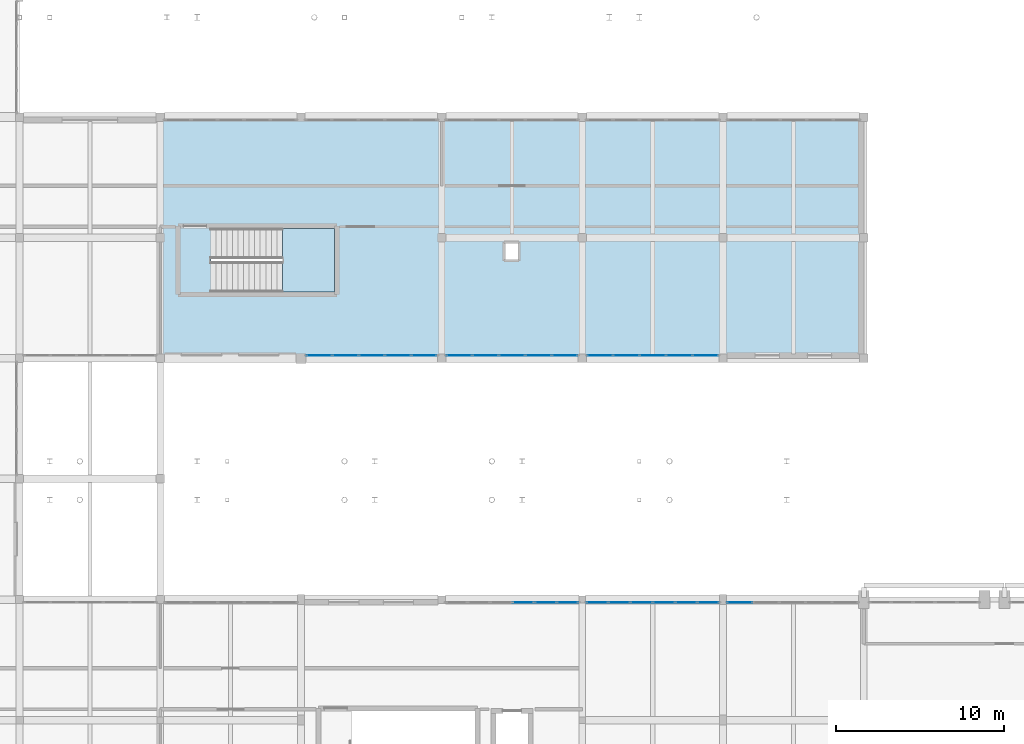
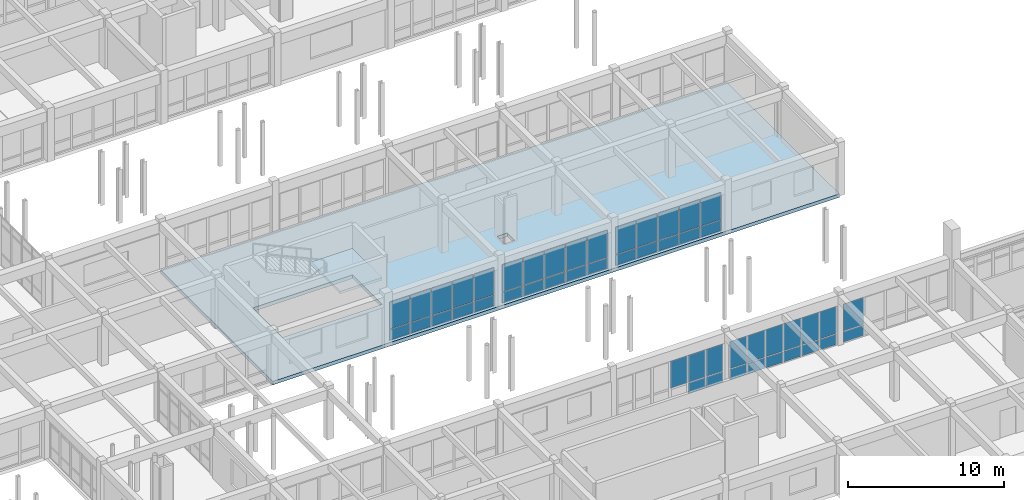
# One storey, part 105 of 147: 49 plates, 2 slabs, 7 elements without a shape of their own.
"""IFC4 building model written with IfcOpenShell, lengths in metres."""

import ifcopenshell
import ifcopenshell.guid

model = None  # the IFC model being written
_history = None  # IfcOwnerHistory: only IFC2X3 demands one
_inside = {}  # id of a spatial element -> (the spatial element, [elements in it])
_under = {}  # id of a project, library or spatial element -> (it, [spatial elements below it])
_declared = {}  # id of a project -> (the project, [libraries it declares])
_typed = {}  # id of a type object -> (the type object, [elements of that type])
_made_of = {}  # id of a material, layer set ... -> (it, [elements and type objects made of it])


def new_model(schema):
    """Start an empty IFC model of exactly this schema.

    Asked for "IFC4X3", IfcOpenShell would pick the latest addendum, in which some entities
    have other attributes; the version numbers below select the first issue.
    IFC2X3 requires an IfcOwnerHistory on every rooted entity: one is made here for all.
    """
    global model, _history
    if schema == "IFC4X3":
        model = ifcopenshell.file(schema_version=(4, 3, 0, 0))
    else:
        model = ifcopenshell.file(schema=schema)
    _inside.clear()
    _under.clear()
    _declared.clear()
    _typed.clear()
    _made_of.clear()
    _history = None
    if model.schema == "IFC2X3":
        org = make("IfcOrganization", Name="unknown")
        user = make(
            "IfcPersonAndOrganization",
            ThePerson=make("IfcPerson", FamilyName="unknown"),
            TheOrganization=org,
        )
        app = make(
            "IfcApplication",
            ApplicationDeveloper=org,
            Version="unknown",
            ApplicationFullName="unknown",
            ApplicationIdentifier="unknown",
        )
        _history = make(
            "IfcOwnerHistory",
            OwningUser=user,
            OwningApplication=app,
            ChangeAction="ADDED",
            CreationDate=0,
        )
    return model


def make(cls, **values):
    """One entity of the class cls with the attributes given. An attribute that is None is left unset."""
    return model.create_entity(
        cls, **{name: value for name, value in values.items() if value is not None}
    )


def rooted(cls, **values):
    """An entity with a GlobalId (a new one), such as an element, a storey or a relation."""
    return make(cls, GlobalId=ifcopenshell.guid.new(), OwnerHistory=_history, **values)


def si_unit(unit_type, name, prefix=None):
    """IfcSIUnit, for example si_unit("LENGTHUNIT", "METRE", prefix="MILLI")."""
    return make("IfcSIUnit", UnitType=unit_type, Prefix=prefix, Name=name)


def assignment(units):
    """IfcUnitAssignment: the units of a project."""
    return None if units is None else make("IfcUnitAssignment", Units=units)


def point(xyz):
    """IfcCartesianPoint."""
    return None if xyz is None else make("IfcCartesianPoint", Coordinates=xyz)


def direction(xyz):
    """IfcDirection."""
    return None if xyz is None else make("IfcDirection", DirectionRatios=xyz)


def frame(location, z_axis=None, x_axis=None):
    """IfcAxis2Placement3D, a coordinate frame: its origin and axes. An axis left out is left unset."""
    return make(
        "IfcAxis2Placement3D",
        Location=point(location),
        Axis=direction(z_axis),
        RefDirection=direction(x_axis),
    )


def frame_2d(location, x_axis=None):
    """IfcAxis2Placement2D, a coordinate frame in the plane: its origin and x axis."""
    return make(
        "IfcAxis2Placement2D", Location=point(location), RefDirection=direction(x_axis)
    )


def origin():
    """The frame at (0, 0, 0) with its axes left unset."""
    return frame((0.0, 0.0, 0.0))


def origin_2d():
    """The frame at (0, 0) in the plane with its x axis left unset."""
    return frame_2d((0.0, 0.0))


def place(relative_to, where):
    """IfcLocalPlacement: puts the frame where relative to a parent placement (None: the world)."""
    return make(
        "IfcLocalPlacement", PlacementRelTo=relative_to, RelativePlacement=where
    )


def context(
    kind, dimensions, precision=None, world=None, true_north=None, identifier=None
):
    """IfcGeometricRepresentationContext, for example the 3D "Model" context."""
    return make(
        "IfcGeometricRepresentationContext",
        ContextIdentifier=identifier,
        ContextType=kind,
        CoordinateSpaceDimension=dimensions,
        Precision=precision,
        WorldCoordinateSystem=world,
        TrueNorth=true_north,
    )


def subcontext(parent, identifier, kind, view, scale=None):
    """IfcGeometricRepresentationSubContext, for example "Body" below "Model"."""
    return make(
        "IfcGeometricRepresentationSubContext",
        ContextIdentifier=identifier,
        ContextType=kind,
        ParentContext=parent,
        TargetScale=scale,
        TargetView=view,
    )


def project(units=None, contexts=None):
    """IfcProject with its units and contexts."""
    return rooted(
        "IfcProject",
        Name="project",
        RepresentationContexts=contexts,
        UnitsInContext=assignment(units),
    )


def spatial(cls, under=None, at=None, **own):
    """A site, building, storey or space (cls), placed at a placement, below another one or the project."""
    s = rooted(cls, ObjectPlacement=at, **own)
    if under is not None:
        _under.setdefault(under.id(), (under, []))[1].append(s)
    return s


def polyline(points):
    """IfcPolyline through the points."""
    return make("IfcPolyline", Points=[point(p) for p in points])


def profile(cls, at=None, kind="AREA", **sizes):
    """A parametric profile (cls). Its sizes go by their IFC names, for example OverallWidth=200.0."""
    return make(cls, ProfileType=kind, Position=at, **sizes)


def rectangle(**sizes):
    """IfcRectangleProfileDef."""
    return profile("IfcRectangleProfileDef", **sizes)


def outline(outer, holes=None, kind="AREA"):
    """IfcArbitraryClosedProfileDef: a profile drawn as a closed curve; with holes, ...WithVoids."""
    if holes is None:
        return make("IfcArbitraryClosedProfileDef", ProfileType=kind, OuterCurve=outer)
    return make(
        "IfcArbitraryProfileDefWithVoids",
        ProfileType=kind,
        OuterCurve=outer,
        InnerCurves=holes,
    )


def extrude(swept, where, along, depth):
    """IfcExtrudedAreaSolid: the profile swept, set in the frame where, extruded along a direction by depth."""
    return make(
        "IfcExtrudedAreaSolid",
        SweptArea=swept,
        Position=where,
        ExtrudedDirection=direction(along),
        Depth=depth,
    )


def shape(context_of_items, identifier, shape_type, items):
    """IfcShapeRepresentation: the items that make up one representation, for example the "Body"."""
    return make(
        "IfcShapeRepresentation",
        ContextOfItems=context_of_items,
        RepresentationIdentifier=identifier,
        RepresentationType=shape_type,
        Items=items,
    )


def material(Name=None, Category=None):
    """IfcMaterial."""
    return make("IfcMaterial", Name=Name, Category=Category)


def layer(
    of_material, thickness, ventilated=None, Name=None, Category=None, Priority=None
):
    """IfcMaterialLayer: one layer of a wall or slab, of a material (None: an air gap)."""
    return make(
        "IfcMaterialLayer",
        Material=of_material,
        LayerThickness=thickness,
        IsVentilated=ventilated,
        Name=Name,
        Category=Category,
        Priority=Priority,
    )


def layer_set(layers, Name=None):
    """IfcMaterialLayerSet."""
    return make("IfcMaterialLayerSet", MaterialLayers=layers, LayerSetName=Name)


def made_of(thing, what):
    """Note that an element or type object is made of a material, layer set ...; save() writes the relation."""
    if what is not None:
        _made_of.setdefault(what.id(), (what, []))[1].append(thing)
    return thing


def type_object(cls, material=None, **own):
    """A type object (cls), such as IfcWallType, which elements share."""
    return made_of(rooted(cls, **own), material)


def element(
    cls,
    number,
    at=None,
    inside=None,
    cuts=None,
    type_object=None,
    material=None,
    context=None,
    identifier="Body",
    shape_type=None,
    held_by="IfcProductDefinitionShape",
    body=None,
    shapes=None,
    **own,
):
    """One element of the class cls, such as IfcWall. Its Tag is "e" and its number.

    at: its placement. inside: the storey or other place that contains it. cuts: it is an
    opening in that element (IfcRelVoidsElement). A single representation is given by context,
    identifier, shape_type and body (its items); several are given by shapes. held_by: the class
    of the entity that holds the representations. save() writes the other relations.
    """
    e = rooted(cls, Tag="e%d" % number, ObjectPlacement=at, **own)
    if body is not None:
        shapes = [shape(context, identifier, shape_type, body)]
    if shapes is not None:
        e.Representation = make(held_by, Representations=shapes)
    if inside is not None:
        _inside.setdefault(inside.id(), (inside, []))[1].append(e)
    if cuts is not None:
        rooted(
            "IfcRelVoidsElement", RelatingBuildingElement=cuts, RelatedOpeningElement=e
        )
    if type_object is not None:
        _typed.setdefault(type_object.id(), (type_object, []))[1].append(e)
    return made_of(e, material)


def aggregate(whole, parts):
    """IfcRelAggregates: a whole, such as a stair, and the parts it consists of."""
    return rooted("IfcRelAggregates", RelatingObject=whole, RelatedObjects=parts)


def save(model, path):
    """Write the relations noted so far, then the file.

    IfcRelAggregates (storeys below a building ...), IfcRelContainedInSpatialStructure (elements
    in a storey), IfcRelDefinesByType, IfcRelAssociatesMaterial and IfcRelDeclares: one each for
    every whole, place, type object, material and project.
    """
    for whole, parts in _under.values():
        aggregate(whole, parts)
    for where, things in _inside.values():
        rooted(
            "IfcRelContainedInSpatialStructure",
            RelatedElements=things,
            RelatingStructure=where,
        )
    for kind, things in _typed.values():
        rooted("IfcRelDefinesByType", RelatedObjects=things, RelatingType=kind)
    for what, things in _made_of.values():
        rooted("IfcRelAssociatesMaterial", RelatedObjects=things, RelatingMaterial=what)
    for by, libraries in _declared.values():
        rooted("IfcRelDeclares", RelatingContext=by, RelatedDefinitions=libraries)
    model.write(path)


model = new_model("IFC4")

# Units and contexts
model_context = context("Model", 3, precision=1e-05, world=origin(), true_north=direction((0.0, 1.0)))
body_context = subcontext(model_context, "Body", "Model", "MODEL_VIEW")
ifc_project = project(units=[si_unit("LENGTHUNIT", "METRE"), si_unit("AREAUNIT", "SQUARE_METRE"), si_unit("VOLUMEUNIT", "CUBIC_METRE"), si_unit("PLANEANGLEUNIT", "RADIAN"), si_unit("MASSUNIT", "GRAM", prefix="KILO")], contexts=[model_context])

# Site, building, storey
site_placement = place(None, origin())
site = spatial("IfcSite", under=ifc_project, at=site_placement, CompositionType="ELEMENT")
building_placement = place(site_placement, origin())
building = spatial("IfcBuilding", under=site, at=building_placement, Name="Malvenik Polytechnic", CompositionType="ELEMENT")
storey_placement = place(building_placement, frame((0.0, 0.0, 5.10009765625)))
storey = spatial("IfcBuildingStorey", under=building, at=storey_placement, Name="L01", CompositionType="ELEMENT", Elevation=5.10009765625)

# Curtain wall, plates
ifc_material_1 = material(Name="Anodised aluminium 6060-T6", Category="aluminium")
curtain_wall_type = type_object("IfcCurtainWallType", Name="ARC-CW-CW-02", PredefinedType="NOTDEFINED", material=ifc_material_1)
curtain_wall_1_placement = place(storey_placement, origin())
curtain_wall_1 = element("IfcCurtainWall", 1, at=curtain_wall_1_placement, inside=storey, type_object=curtain_wall_type, Name="Unitised Curtain Wall CW-02 L01 #89", PredefinedType="NOTDEFINED")
ifc_material_2 = material(Name="Insulated low-E double glazing 8-16-8", Category="glass")
ifc_layer_1 = layer(ifc_material_2, 0.028076171875)
ifc_layer_set_1 = layer_set([ifc_layer_1], Name="Insulated low-E double glazing 8-16-8")
plate_type_1 = type_object("IfcPlateType", Name="ARC-CWP-CP-GLZ28", PredefinedType="CURTAIN_PANEL", material=ifc_layer_set_1)
plate_1_placement = place(storey_placement, frame((124.946533203125, 50.570068359375, 0.929931640625), z_axis=(0.0, 0.0, 1.0), x_axis=(-1.0, 0.0, 0.0)))
plate_1 = element("IfcPlate", 2, at=plate_1_placement, type_object=plate_type_1, Name="CW-02 panel 1.2", PredefinedType="CURTAIN_PANEL", context=body_context, shape_type="SweptSolid", body=[
    extrude(rectangle(XDim=1.49072265625, YDim=0.028076171875, at=origin_2d()), origin(), (0.0, 0.0, 1.0), 2.1201171875),
])
plate_2_placement = place(storey_placement, frame((123.380859375, 50.570068359375, 0.929931640625), z_axis=(0.0, 0.0, 1.0), x_axis=(-1.0, 0.0, 0.0)))
plate_2 = element("IfcPlate", 3, at=plate_2_placement, type_object=plate_type_1, Name="CW-02 panel 2.2", PredefinedType="CURTAIN_PANEL", context=body_context, shape_type="SweptSolid", body=[
    extrude(rectangle(XDim=1.520751953125, YDim=0.028076171875, at=origin_2d()), origin(), (0.0, 0.0, 1.0), 2.1201171875),
])
plate_3_placement = place(storey_placement, frame((121.800048828125, 50.570068359375, 0.929931640625), z_axis=(0.0, 0.0, 1.0), x_axis=(-1.0, 0.0, 0.0)))
plate_3 = element("IfcPlate", 4, at=plate_3_placement, type_object=plate_type_1, Name="CW-02 panel 3.2", PredefinedType="CURTAIN_PANEL", context=body_context, shape_type="SweptSolid", body=[
    extrude(rectangle(XDim=1.520751953125, YDim=0.028076171875, at=origin_2d()), origin(), (0.0, 0.0, 1.0), 2.1201171875),
])
plate_4_placement = place(storey_placement, frame((120.21923828125, 50.570068359375, 0.929931640625), z_axis=(0.0, 0.0, 1.0), x_axis=(-1.0, 0.0, 0.0)))
plate_4 = element("IfcPlate", 5, at=plate_4_placement, type_object=plate_type_1, Name="CW-02 panel 4.2", PredefinedType="CURTAIN_PANEL", context=body_context, shape_type="SweptSolid", body=[
    extrude(rectangle(XDim=1.520751953125, YDim=0.028076171875, at=origin_2d()), origin(), (0.0, 0.0, 1.0), 2.1201171875),
])
plate_5_placement = place(storey_placement, frame((118.6533203125, 50.570068359375, 0.929931640625), z_axis=(0.0, 0.0, 1.0), x_axis=(-1.0, 0.0, 0.0)))
plate_5 = element("IfcPlate", 6, at=plate_5_placement, type_object=plate_type_1, Name="CW-02 panel 5.2", PredefinedType="CURTAIN_PANEL", context=body_context, shape_type="SweptSolid", body=[
    extrude(rectangle(XDim=1.49072265625, YDim=0.028076171875, at=origin_2d()), origin(), (0.0, 0.0, 1.0), 2.1201171875),
])

curtain_wall_2_placement = place(storey_placement, origin())
curtain_wall_2 = element("IfcCurtainWall", 7, at=curtain_wall_2_placement, inside=storey, type_object=curtain_wall_type, Name="Unitised Curtain Wall CW-02 L01 #90", PredefinedType="NOTDEFINED")
plate_6_placement = place(storey_placement, frame((116.546630859375, 50.570068359375, 0.929931640625), z_axis=(0.0, 0.0, 1.0), x_axis=(-1.0, 0.0, 0.0)))
plate_6 = element("IfcPlate", 8, at=plate_6_placement, type_object=plate_type_1, Name="CW-02 panel 1.2", PredefinedType="CURTAIN_PANEL", context=body_context, shape_type="SweptSolid", body=[
    extrude(rectangle(XDim=1.49072265625, YDim=0.028076171875, at=origin_2d()), origin(), (0.0, 0.0, 1.0), 2.1201171875),
])
plate_7_placement = place(storey_placement, frame((114.980712890625, 50.570068359375, 0.929931640625), z_axis=(0.0, 0.0, 1.0), x_axis=(-1.0, 0.0, 0.0)))
plate_7 = element("IfcPlate", 9, at=plate_7_placement, type_object=plate_type_1, Name="CW-02 panel 2.2", PredefinedType="CURTAIN_PANEL", context=body_context, shape_type="SweptSolid", body=[
    extrude(rectangle(XDim=1.520751953125, YDim=0.028076171875, at=origin_2d()), origin(), (0.0, 0.0, 1.0), 2.1201171875),
])
plate_8_placement = place(storey_placement, frame((113.39990234375, 50.570068359375, 0.929931640625), z_axis=(0.0, 0.0, 1.0), x_axis=(-1.0, 0.0, 0.0)))
plate_8 = element("IfcPlate", 10, at=plate_8_placement, type_object=plate_type_1, Name="CW-02 panel 3.2", PredefinedType="CURTAIN_PANEL", context=body_context, shape_type="SweptSolid", body=[
    extrude(rectangle(XDim=1.520751953125, YDim=0.028076171875, at=origin_2d()), origin(), (0.0, 0.0, 1.0), 2.1201171875),
])
plate_9_placement = place(storey_placement, frame((111.819091796875, 50.570068359375, 0.929931640625), z_axis=(0.0, 0.0, 1.0), x_axis=(-1.0, 0.0, 0.0)))
plate_9 = element("IfcPlate", 11, at=plate_9_placement, type_object=plate_type_1, Name="CW-02 panel 4.2", PredefinedType="CURTAIN_PANEL", context=body_context, shape_type="SweptSolid", body=[
    extrude(rectangle(XDim=1.520751953125, YDim=0.028076171875, at=origin_2d()), origin(), (0.0, 0.0, 1.0), 2.1201171875),
])
plate_10_placement = place(storey_placement, frame((110.25341796875, 50.570068359375, 0.929931640625), z_axis=(0.0, 0.0, 1.0), x_axis=(-1.0, 0.0, 0.0)))
plate_10 = element("IfcPlate", 12, at=plate_10_placement, type_object=plate_type_1, Name="CW-02 panel 5.2", PredefinedType="CURTAIN_PANEL", context=body_context, shape_type="SweptSolid", body=[
    extrude(rectangle(XDim=1.49072265625, YDim=0.028076171875, at=origin_2d()), origin(), (0.0, 0.0, 1.0), 2.1201171875),
])

curtain_wall_3_placement = place(storey_placement, origin())
curtain_wall_3 = element("IfcCurtainWall", 13, at=curtain_wall_3_placement, inside=storey, type_object=curtain_wall_type, Name="Unitised Curtain Wall CW-02 L01 #91", PredefinedType="NOTDEFINED")
plate_11_placement = place(storey_placement, frame((108.151611328125, 50.570068359375, 0.929931640625), z_axis=(0.0, 0.0, 1.0), x_axis=(-1.0, 0.0, 0.0)))
plate_11 = element("IfcPlate", 14, at=plate_11_placement, type_object=plate_type_1, Name="CW-02 panel 1.2", PredefinedType="CURTAIN_PANEL", context=body_context, shape_type="SweptSolid", body=[
    extrude(rectangle(XDim=1.480712890625, YDim=0.028076171875, at=origin_2d()), origin(), (0.0, 0.0, 1.0), 2.1201171875),
])
plate_12_placement = place(storey_placement, frame((106.595703125, 50.570068359375, 0.929931640625), z_axis=(0.0, 0.0, 1.0), x_axis=(-1.0, 0.0, 0.0)))
plate_12 = element("IfcPlate", 15, at=plate_12_placement, type_object=plate_type_1, Name="CW-02 panel 2.2", PredefinedType="CURTAIN_PANEL", context=body_context, shape_type="SweptSolid", body=[
    extrude(rectangle(XDim=1.5107421875, YDim=0.028076171875, at=origin_2d()), origin(), (0.0, 0.0, 1.0), 2.1201171875),
])
plate_13_placement = place(storey_placement, frame((105.02490234375, 50.570068359375, 0.929931640625), z_axis=(0.0, 0.0, 1.0), x_axis=(-1.0, 0.0, 0.0)))
plate_13 = element("IfcPlate", 16, at=plate_13_placement, type_object=plate_type_1, Name="CW-02 panel 3.2", PredefinedType="CURTAIN_PANEL", context=body_context, shape_type="SweptSolid", body=[
    extrude(rectangle(XDim=1.5107421875, YDim=0.028076171875, at=origin_2d()), origin(), (0.0, 0.0, 1.0), 2.1201171875),
])
plate_14_placement = place(storey_placement, frame((103.4541015625, 50.570068359375, 0.929931640625), z_axis=(0.0, 0.0, 1.0), x_axis=(-1.0, 0.0, 0.0)))
plate_14 = element("IfcPlate", 17, at=plate_14_placement, type_object=plate_type_1, Name="CW-02 panel 4.2", PredefinedType="CURTAIN_PANEL", context=body_context, shape_type="SweptSolid", body=[
    extrude(rectangle(XDim=1.5107421875, YDim=0.028076171875, at=origin_2d()), origin(), (0.0, 0.0, 1.0), 2.1201171875),
])
plate_15_placement = place(storey_placement, frame((101.8984375, 50.570068359375, 0.929931640625), z_axis=(0.0, 0.0, 1.0), x_axis=(-1.0, 0.0, 0.0)))
plate_15 = element("IfcPlate", 18, at=plate_15_placement, type_object=plate_type_1, Name="CW-02 panel 5.2", PredefinedType="CURTAIN_PANEL", context=body_context, shape_type="SweptSolid", body=[
    extrude(rectangle(XDim=1.480712890625, YDim=0.028076171875, at=origin_2d()), origin(), (0.0, 0.0, 1.0), 2.1201171875),
])

curtain_wall_4_placement = place(storey_placement, origin())
curtain_wall_4 = element("IfcCurtainWall", 19, at=curtain_wall_4_placement, inside=storey, type_object=curtain_wall_type, Name="Unitised Curtain Wall CW-02 L01 #96", PredefinedType="NOTDEFINED")
plate_16_placement = place(storey_placement, frame((114.077392578125, 35.830078125, 0.929931640625), z_axis=(0.0, 0.0, 1.0), x_axis=(1.0, 0.0, 0.0)))
plate_16 = element("IfcPlate", 20, at=plate_16_placement, type_object=plate_type_1, Name="CW-02 panel 4.2", PredefinedType="CURTAIN_PANEL", context=body_context, shape_type="SweptSolid", body=[
    extrude(rectangle(XDim=1.269775390625, YDim=0.028076171875, at=origin_2d()), origin(), (0.0, 0.0, 1.0), 2.1201171875),
])
plate_17_placement = place(storey_placement, frame((115.4072265625, 35.830078125, 0.929931640625), z_axis=(0.0, 0.0, 1.0), x_axis=(1.0, 0.0, 0.0)))
plate_17 = element("IfcPlate", 21, at=plate_17_placement, type_object=plate_type_1, Name="CW-02 panel 5.2", PredefinedType="CURTAIN_PANEL", context=body_context, shape_type="SweptSolid", body=[
    extrude(rectangle(XDim=1.269775390625, YDim=0.028076171875, at=origin_2d()), origin(), (0.0, 0.0, 1.0), 2.1201171875),
])
plate_18_placement = place(storey_placement, frame((116.72216796875, 35.830078125, 0.929931640625), z_axis=(0.0, 0.0, 1.0), x_axis=(1.0, 0.0, 0.0)))
plate_18 = element("IfcPlate", 22, at=plate_18_placement, type_object=plate_type_1, Name="CW-02 panel 6.2", PredefinedType="CURTAIN_PANEL", context=body_context, shape_type="SweptSolid", body=[
    extrude(rectangle(XDim=1.23974609375, YDim=0.028076171875, at=origin_2d()), origin(), (0.0, 0.0, 1.0), 2.1201171875),
])

curtain_wall_5_placement = place(storey_placement, origin())
curtain_wall_5 = element("IfcCurtainWall", 23, at=curtain_wall_5_placement, inside=storey, type_object=curtain_wall_type, Name="Unitised Curtain Wall CW-02 L01 #97", PredefinedType="NOTDEFINED")
plate_19_placement = place(storey_placement, frame((118.47998046875, 35.830078125, 0.929931640625), z_axis=(0.0, 0.0, 1.0), x_axis=(1.0, 0.0, 0.0)))
plate_19 = element("IfcPlate", 24, at=plate_19_placement, type_object=plate_type_1, Name="CW-02 panel 1.2", PredefinedType="CURTAIN_PANEL", context=body_context, shape_type="SweptSolid", body=[
    extrude(rectangle(XDim=1.243896484375, YDim=0.028076171875, at=origin_2d()), origin(), (0.0, 0.0, 1.0), 2.1201171875),
])
plate_20_placement = place(storey_placement, frame((119.799072265625, 35.830078125, 0.929931640625), z_axis=(0.0, 0.0, 1.0), x_axis=(1.0, 0.0, 0.0)))
plate_20 = element("IfcPlate", 25, at=plate_20_placement, type_object=plate_type_1, Name="CW-02 panel 2.2", PredefinedType="CURTAIN_PANEL", context=body_context, shape_type="SweptSolid", body=[
    extrude(rectangle(XDim=1.27392578125, YDim=0.028076171875, at=origin_2d()), origin(), (0.0, 0.0, 1.0), 2.1201171875),
])
plate_21_placement = place(storey_placement, frame((121.133056640625, 35.830078125, 0.929931640625), z_axis=(0.0, 0.0, 1.0), x_axis=(1.0, 0.0, 0.0)))
plate_21 = element("IfcPlate", 26, at=plate_21_placement, type_object=plate_type_1, Name="CW-02 panel 3.2", PredefinedType="CURTAIN_PANEL", context=body_context, shape_type="SweptSolid", body=[
    extrude(rectangle(XDim=1.27392578125, YDim=0.028076171875, at=origin_2d()), origin(), (0.0, 0.0, 1.0), 2.1201171875),
])
plate_22_placement = place(storey_placement, frame((122.467041015625, 35.830078125, 0.929931640625), z_axis=(0.0, 0.0, 1.0), x_axis=(1.0, 0.0, 0.0)))
plate_22 = element("IfcPlate", 27, at=plate_22_placement, type_object=plate_type_1, Name="CW-02 panel 4.2", PredefinedType="CURTAIN_PANEL", context=body_context, shape_type="SweptSolid", body=[
    extrude(rectangle(XDim=1.27392578125, YDim=0.028076171875, at=origin_2d()), origin(), (0.0, 0.0, 1.0), 2.1201171875),
])
plate_23_placement = place(storey_placement, frame((123.801025390625, 35.830078125, 0.929931640625), z_axis=(0.0, 0.0, 1.0), x_axis=(1.0, 0.0, 0.0)))
plate_23 = element("IfcPlate", 28, at=plate_23_placement, type_object=plate_type_1, Name="CW-02 panel 5.2", PredefinedType="CURTAIN_PANEL", context=body_context, shape_type="SweptSolid", body=[
    extrude(rectangle(XDim=1.27392578125, YDim=0.028076171875, at=origin_2d()), origin(), (0.0, 0.0, 1.0), 2.1201171875),
])
plate_24_placement = place(storey_placement, frame((125.1201171875, 35.830078125, 0.929931640625), z_axis=(0.0, 0.0, 1.0), x_axis=(1.0, 0.0, 0.0)))
plate_24 = element("IfcPlate", 29, at=plate_24_placement, type_object=plate_type_1, Name="CW-02 panel 6.2", PredefinedType="CURTAIN_PANEL", context=body_context, shape_type="SweptSolid", body=[
    extrude(rectangle(XDim=1.243896484375, YDim=0.028076171875, at=origin_2d()), origin(), (0.0, 0.0, 1.0), 2.1201171875),
])

# Curtain wall, plate
curtain_wall_6_placement = place(storey_placement, origin())
curtain_wall_6 = element("IfcCurtainWall", 30, at=curtain_wall_6_placement, inside=storey, type_object=curtain_wall_type, Name="Unitised Curtain Wall CW-02 L01 #98", PredefinedType="NOTDEFINED")
plate_25_placement = place(storey_placement, frame((127.0009765625, 35.830078125, 0.929931640625), z_axis=(0.0, 0.0, 1.0), x_axis=(1.0, 0.0, 0.0)))
plate_25 = element("IfcPlate", 31, at=plate_25_placement, type_object=plate_type_1, Name="CW-02 panel 1.2", PredefinedType="CURTAIN_PANEL", context=body_context, shape_type="SweptSolid", body=[
    extrude(rectangle(XDim=1.48583984375, YDim=0.028076171875, at=origin_2d()), origin(), (0.0, 0.0, 1.0), 2.1201171875),
])

# Plate
ifc_material_3 = material(Name="Insulated aluminium spandrel cassette 42mm", Category="aluminium")
ifc_layer_2 = layer(ifc_material_3, 0.0419921875)
ifc_layer_set_2 = layer_set([ifc_layer_2], Name="Insulated aluminium spandrel cassette 42mm")
plate_type_2 = type_object("IfcPlateType", Name="ARC-CWP-CP-SPN42", PredefinedType="CURTAIN_PANEL", material=ifc_layer_set_2)
plate_26_placement = place(storey_placement, frame((124.946533203125, 50.570068359375, 0.059814453125), z_axis=(0.0, 0.0, 1.0), x_axis=(-1.0, 0.0, 0.0)))
plate_26 = element("IfcPlate", 32, at=plate_26_placement, type_object=plate_type_2, Name="CW-02 panel 1.1", PredefinedType="CURTAIN_PANEL", context=body_context, shape_type="SweptSolid", body=[
    extrude(rectangle(XDim=1.49072265625, YDim=0.028076171875, at=origin_2d()), origin(), (0.0, 0.0, 1.0), 0.81005859375),
])

plate_27_placement = place(storey_placement, frame((123.380859375, 50.570068359375, 0.059814453125), z_axis=(0.0, 0.0, 1.0), x_axis=(-1.0, 0.0, 0.0)))
plate_27 = element("IfcPlate", 33, at=plate_27_placement, type_object=plate_type_2, Name="CW-02 panel 2.1", PredefinedType="CURTAIN_PANEL", context=body_context, shape_type="SweptSolid", body=[
    extrude(rectangle(XDim=1.520751953125, YDim=0.028076171875, at=origin_2d()), origin(), (0.0, 0.0, 1.0), 0.81005859375),
])

plate_28_placement = place(storey_placement, frame((121.800048828125, 50.570068359375, 0.059814453125), z_axis=(0.0, 0.0, 1.0), x_axis=(-1.0, 0.0, 0.0)))
plate_28 = element("IfcPlate", 34, at=plate_28_placement, type_object=plate_type_2, Name="CW-02 panel 3.1", PredefinedType="CURTAIN_PANEL", context=body_context, shape_type="SweptSolid", body=[
    extrude(rectangle(XDim=1.520751953125, YDim=0.028076171875, at=origin_2d()), origin(), (0.0, 0.0, 1.0), 0.81005859375),
])

plate_29_placement = place(storey_placement, frame((120.21923828125, 50.570068359375, 0.059814453125), z_axis=(0.0, 0.0, 1.0), x_axis=(-1.0, 0.0, 0.0)))
plate_29 = element("IfcPlate", 35, at=plate_29_placement, type_object=plate_type_2, Name="CW-02 panel 4.1", PredefinedType="CURTAIN_PANEL", context=body_context, shape_type="SweptSolid", body=[
    extrude(rectangle(XDim=1.520751953125, YDim=0.028076171875, at=origin_2d()), origin(), (0.0, 0.0, 1.0), 0.81005859375),
])

plate_30_placement = place(storey_placement, frame((118.6533203125, 50.570068359375, 0.059814453125), z_axis=(0.0, 0.0, 1.0), x_axis=(-1.0, 0.0, 0.0)))
plate_30 = element("IfcPlate", 36, at=plate_30_placement, type_object=plate_type_2, Name="CW-02 panel 5.1", PredefinedType="CURTAIN_PANEL", context=body_context, shape_type="SweptSolid", body=[
    extrude(rectangle(XDim=1.49072265625, YDim=0.028076171875, at=origin_2d()), origin(), (0.0, 0.0, 1.0), 0.81005859375),
])

aggregate(curtain_wall_1, [plate_26, plate_1, plate_27, plate_2, plate_28, plate_3, plate_29, plate_4, plate_30, plate_5])

plate_31_placement = place(storey_placement, frame((116.546630859375, 50.570068359375, 0.059814453125), z_axis=(0.0, 0.0, 1.0), x_axis=(-1.0, 0.0, 0.0)))
plate_31 = element("IfcPlate", 37, at=plate_31_placement, type_object=plate_type_2, Name="CW-02 panel 1.1", PredefinedType="CURTAIN_PANEL", context=body_context, shape_type="SweptSolid", body=[
    extrude(rectangle(XDim=1.49072265625, YDim=0.028076171875, at=origin_2d()), origin(), (0.0, 0.0, 1.0), 0.81005859375),
])

plate_32_placement = place(storey_placement, frame((114.980712890625, 50.570068359375, 0.059814453125), z_axis=(0.0, 0.0, 1.0), x_axis=(-1.0, 0.0, 0.0)))
plate_32 = element("IfcPlate", 38, at=plate_32_placement, type_object=plate_type_2, Name="CW-02 panel 2.1", PredefinedType="CURTAIN_PANEL", context=body_context, shape_type="SweptSolid", body=[
    extrude(rectangle(XDim=1.520751953125, YDim=0.028076171875, at=origin_2d()), origin(), (0.0, 0.0, 1.0), 0.81005859375),
])

plate_33_placement = place(storey_placement, frame((113.39990234375, 50.570068359375, 0.059814453125), z_axis=(0.0, 0.0, 1.0), x_axis=(-1.0, 0.0, 0.0)))
plate_33 = element("IfcPlate", 39, at=plate_33_placement, type_object=plate_type_2, Name="CW-02 panel 3.1", PredefinedType="CURTAIN_PANEL", context=body_context, shape_type="SweptSolid", body=[
    extrude(rectangle(XDim=1.520751953125, YDim=0.028076171875, at=origin_2d()), origin(), (0.0, 0.0, 1.0), 0.81005859375),
])

plate_34_placement = place(storey_placement, frame((111.819091796875, 50.570068359375, 0.059814453125), z_axis=(0.0, 0.0, 1.0), x_axis=(-1.0, 0.0, 0.0)))
plate_34 = element("IfcPlate", 40, at=plate_34_placement, type_object=plate_type_2, Name="CW-02 panel 4.1", PredefinedType="CURTAIN_PANEL", context=body_context, shape_type="SweptSolid", body=[
    extrude(rectangle(XDim=1.520751953125, YDim=0.028076171875, at=origin_2d()), origin(), (0.0, 0.0, 1.0), 0.81005859375),
])

plate_35_placement = place(storey_placement, frame((110.25341796875, 50.570068359375, 0.059814453125), z_axis=(0.0, 0.0, 1.0), x_axis=(-1.0, 0.0, 0.0)))
plate_35 = element("IfcPlate", 41, at=plate_35_placement, type_object=plate_type_2, Name="CW-02 panel 5.1", PredefinedType="CURTAIN_PANEL", context=body_context, shape_type="SweptSolid", body=[
    extrude(rectangle(XDim=1.49072265625, YDim=0.028076171875, at=origin_2d()), origin(), (0.0, 0.0, 1.0), 0.81005859375),
])

aggregate(curtain_wall_2, [plate_31, plate_6, plate_32, plate_7, plate_33, plate_8, plate_34, plate_9, plate_35, plate_10])

plate_36_placement = place(storey_placement, frame((108.151611328125, 50.570068359375, 0.059814453125), z_axis=(0.0, 0.0, 1.0), x_axis=(-1.0, 0.0, 0.0)))
plate_36 = element("IfcPlate", 42, at=plate_36_placement, type_object=plate_type_2, Name="CW-02 panel 1.1", PredefinedType="CURTAIN_PANEL", context=body_context, shape_type="SweptSolid", body=[
    extrude(rectangle(XDim=1.480712890625, YDim=0.028076171875, at=origin_2d()), origin(), (0.0, 0.0, 1.0), 0.81005859375),
])

plate_37_placement = place(storey_placement, frame((106.595703125, 50.570068359375, 0.059814453125), z_axis=(0.0, 0.0, 1.0), x_axis=(-1.0, 0.0, 0.0)))
plate_37 = element("IfcPlate", 43, at=plate_37_placement, type_object=plate_type_2, Name="CW-02 panel 2.1", PredefinedType="CURTAIN_PANEL", context=body_context, shape_type="SweptSolid", body=[
    extrude(rectangle(XDim=1.5107421875, YDim=0.028076171875, at=origin_2d()), origin(), (0.0, 0.0, 1.0), 0.81005859375),
])

plate_38_placement = place(storey_placement, frame((105.02490234375, 50.570068359375, 0.059814453125), z_axis=(0.0, 0.0, 1.0), x_axis=(-1.0, 0.0, 0.0)))
plate_38 = element("IfcPlate", 44, at=plate_38_placement, type_object=plate_type_2, Name="CW-02 panel 3.1", PredefinedType="CURTAIN_PANEL", context=body_context, shape_type="SweptSolid", body=[
    extrude(rectangle(XDim=1.5107421875, YDim=0.028076171875, at=origin_2d()), origin(), (0.0, 0.0, 1.0), 0.81005859375),
])

plate_39_placement = place(storey_placement, frame((103.4541015625, 50.570068359375, 0.059814453125), z_axis=(0.0, 0.0, 1.0), x_axis=(-1.0, 0.0, 0.0)))
plate_39 = element("IfcPlate", 45, at=plate_39_placement, type_object=plate_type_2, Name="CW-02 panel 4.1", PredefinedType="CURTAIN_PANEL", context=body_context, shape_type="SweptSolid", body=[
    extrude(rectangle(XDim=1.5107421875, YDim=0.028076171875, at=origin_2d()), origin(), (0.0, 0.0, 1.0), 0.81005859375),
])

plate_40_placement = place(storey_placement, frame((101.8984375, 50.570068359375, 0.059814453125), z_axis=(0.0, 0.0, 1.0), x_axis=(-1.0, 0.0, 0.0)))
plate_40 = element("IfcPlate", 46, at=plate_40_placement, type_object=plate_type_2, Name="CW-02 panel 5.1", PredefinedType="CURTAIN_PANEL", context=body_context, shape_type="SweptSolid", body=[
    extrude(rectangle(XDim=1.480712890625, YDim=0.028076171875, at=origin_2d()), origin(), (0.0, 0.0, 1.0), 0.81005859375),
])

aggregate(curtain_wall_3, [plate_36, plate_11, plate_37, plate_12, plate_38, plate_13, plate_39, plate_14, plate_40, plate_15])

plate_41_placement = place(storey_placement, frame((115.4072265625, 35.830078125, 0.059814453125), z_axis=(0.0, 0.0, 1.0), x_axis=(1.0, 0.0, 0.0)))
plate_41 = element("IfcPlate", 47, at=plate_41_placement, type_object=plate_type_2, Name="CW-02 panel 5.1", PredefinedType="CURTAIN_PANEL", context=body_context, shape_type="SweptSolid", body=[
    extrude(rectangle(XDim=1.269775390625, YDim=0.028076171875, at=origin_2d()), origin(), (0.0, 0.0, 1.0), 0.81005859375),
])

plate_42_placement = place(storey_placement, frame((116.72216796875, 35.830078125, 0.059814453125), z_axis=(0.0, 0.0, 1.0), x_axis=(1.0, 0.0, 0.0)))
plate_42 = element("IfcPlate", 48, at=plate_42_placement, type_object=plate_type_2, Name="CW-02 panel 6.1", PredefinedType="CURTAIN_PANEL", context=body_context, shape_type="SweptSolid", body=[
    extrude(rectangle(XDim=1.23974609375, YDim=0.028076171875, at=origin_2d()), origin(), (0.0, 0.0, 1.0), 0.81005859375),
])

aggregate(curtain_wall_4, [plate_16, plate_41, plate_17, plate_42, plate_18])

plate_43_placement = place(storey_placement, frame((118.47998046875, 35.830078125, 0.059814453125), z_axis=(0.0, 0.0, 1.0), x_axis=(1.0, 0.0, 0.0)))
plate_43 = element("IfcPlate", 49, at=plate_43_placement, type_object=plate_type_2, Name="CW-02 panel 1.1", PredefinedType="CURTAIN_PANEL", context=body_context, shape_type="SweptSolid", body=[
    extrude(rectangle(XDim=1.243896484375, YDim=0.028076171875, at=origin_2d()), origin(), (0.0, 0.0, 1.0), 0.81005859375),
])

plate_44_placement = place(storey_placement, frame((119.799072265625, 35.830078125, 0.059814453125), z_axis=(0.0, 0.0, 1.0), x_axis=(1.0, 0.0, 0.0)))
plate_44 = element("IfcPlate", 50, at=plate_44_placement, type_object=plate_type_2, Name="CW-02 panel 2.1", PredefinedType="CURTAIN_PANEL", context=body_context, shape_type="SweptSolid", body=[
    extrude(rectangle(XDim=1.27392578125, YDim=0.028076171875, at=origin_2d()), origin(), (0.0, 0.0, 1.0), 0.81005859375),
])

plate_45_placement = place(storey_placement, frame((121.133056640625, 35.830078125, 0.059814453125), z_axis=(0.0, 0.0, 1.0), x_axis=(1.0, 0.0, 0.0)))
plate_45 = element("IfcPlate", 51, at=plate_45_placement, type_object=plate_type_2, Name="CW-02 panel 3.1", PredefinedType="CURTAIN_PANEL", context=body_context, shape_type="SweptSolid", body=[
    extrude(rectangle(XDim=1.27392578125, YDim=0.028076171875, at=origin_2d()), origin(), (0.0, 0.0, 1.0), 0.81005859375),
])

plate_46_placement = place(storey_placement, frame((122.467041015625, 35.830078125, 0.059814453125), z_axis=(0.0, 0.0, 1.0), x_axis=(1.0, 0.0, 0.0)))
plate_46 = element("IfcPlate", 52, at=plate_46_placement, type_object=plate_type_2, Name="CW-02 panel 4.1", PredefinedType="CURTAIN_PANEL", context=body_context, shape_type="SweptSolid", body=[
    extrude(rectangle(XDim=1.27392578125, YDim=0.028076171875, at=origin_2d()), origin(), (0.0, 0.0, 1.0), 0.81005859375),
])

plate_47_placement = place(storey_placement, frame((123.801025390625, 35.830078125, 0.059814453125), z_axis=(0.0, 0.0, 1.0), x_axis=(1.0, 0.0, 0.0)))
plate_47 = element("IfcPlate", 53, at=plate_47_placement, type_object=plate_type_2, Name="CW-02 panel 5.1", PredefinedType="CURTAIN_PANEL", context=body_context, shape_type="SweptSolid", body=[
    extrude(rectangle(XDim=1.27392578125, YDim=0.028076171875, at=origin_2d()), origin(), (0.0, 0.0, 1.0), 0.81005859375),
])

plate_48_placement = place(storey_placement, frame((125.1201171875, 35.830078125, 0.059814453125), z_axis=(0.0, 0.0, 1.0), x_axis=(1.0, 0.0, 0.0)))
plate_48 = element("IfcPlate", 54, at=plate_48_placement, type_object=plate_type_2, Name="CW-02 panel 6.1", PredefinedType="CURTAIN_PANEL", context=body_context, shape_type="SweptSolid", body=[
    extrude(rectangle(XDim=1.243896484375, YDim=0.028076171875, at=origin_2d()), origin(), (0.0, 0.0, 1.0), 0.81005859375),
])

aggregate(curtain_wall_5, [plate_43, plate_19, plate_44, plate_20, plate_45, plate_21, plate_46, plate_22, plate_47, plate_23, plate_48, plate_24])

plate_49_placement = place(storey_placement, frame((127.0009765625, 35.830078125, 0.059814453125), z_axis=(0.0, 0.0, 1.0), x_axis=(1.0, 0.0, 0.0)))
plate_49 = element("IfcPlate", 55, at=plate_49_placement, type_object=plate_type_2, Name="CW-02 panel 1.1", PredefinedType="CURTAIN_PANEL", context=body_context, shape_type="SweptSolid", body=[
    extrude(rectangle(XDim=1.48583984375, YDim=0.028076171875, at=origin_2d()), origin(), (0.0, 0.0, 1.0), 0.81005859375),
])

aggregate(curtain_wall_6, [plate_49, plate_25])

# Stair, slab
ifc_material_4 = material(Name="Concrete C35/45", Category="concrete")
stair_type = type_object("IfcStairType", Name="ARC-STR-ST-07", PredefinedType="HALF_TURN_STAIR", material=ifc_material_4)
stair_placement = place(storey_placement, origin())
stair = element("IfcStair", 56, at=stair_placement, inside=storey, type_object=stair_type, Name="L01 Escape Stair ST-07", PredefinedType="HALF_TURN_STAIR")
ifc_layer_3 = layer(ifc_material_4, 0.199951171875)
ifc_layer_set_3 = layer_set([ifc_layer_3], Name="Concrete C35/45")
slab_type_1 = type_object("IfcSlabType", Name="ARC-SLB-STLND", PredefinedType="LANDING", material=ifc_layer_set_3)
slab_1_placement = place(storey_placement, frame((0.0, 0.0, 1.89990234375)))
slab_1 = element("IfcSlab", 57, at=slab_1_placement, type_object=slab_type_1, Name="ST-07 landing 1", PredefinedType="LANDING", context=body_context, shape_type="SweptSolid", body=[
    extrude(outline(polyline([(99.68994140625, 54.35009765625), (102.800048828125, 54.35009765625), (102.800048828125, 58.14990234375), (99.68994140625, 58.14990234375), (99.68994140625, 54.35009765625)])), origin(), (0.0, 0.0, 1.0), 0.199951171875),
])
aggregate(stair, [slab_1])

# Slab
ifc_layer_4 = layer(ifc_material_4, 0.280029296875)
ifc_layer_set_4 = layer_set([ifc_layer_4], Name="Concrete C35/45")
slab_type_2 = type_object("IfcSlabType", Name="STR-SLB-FLR-280", PredefinedType="FLOOR", material=ifc_layer_set_4)
slab_2_placement = place(storey_placement, frame((0.0, 0.0, -0.280029296875)))
element("IfcSlab", 58, at=slab_2_placement, inside=storey, type_object=slab_type_2, Name="Structural Slab L01-V3 #54", PredefinedType="FLOOR", context=body_context, shape_type="SweptSolid", body=[
    extrude(outline(polyline([(134.3798828125, 64.800048828125), (134.3798828125, 50.39990234375), (92.419921875, 50.39990234375), (92.419921875, 64.800048828125), (134.3798828125, 64.800048828125)]), holes=[polyline([(102.800048828125, 54.35009765625), (102.800048828125, 58.14990234375), (95.41796875, 58.14990234375), (95.41796875, 54.35009765625), (102.800048828125, 54.35009765625)]), polyline([(113.75, 57.25), (113.0, 57.25), (113.0, 56.300048828125), (113.75, 56.300048828125), (113.75, 57.25)])]), origin(), (0.0, 0.0, 1.0), 0.280029296875),
])

save(model, "model.ifc")
